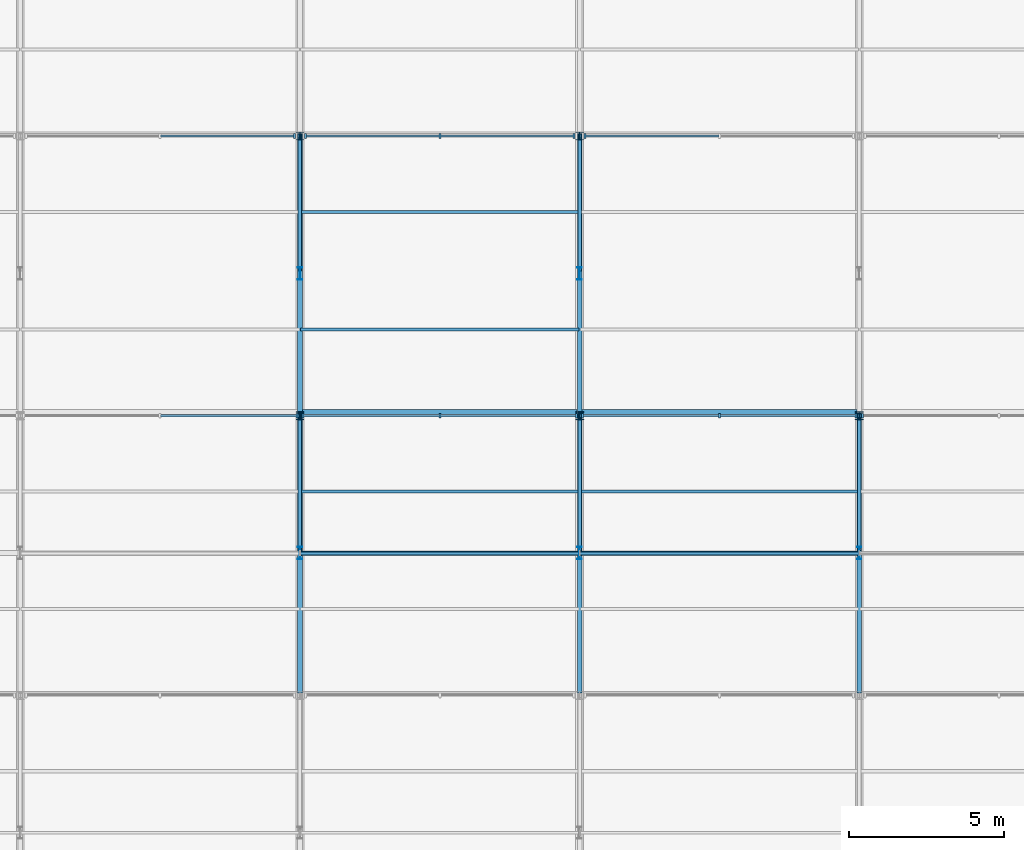
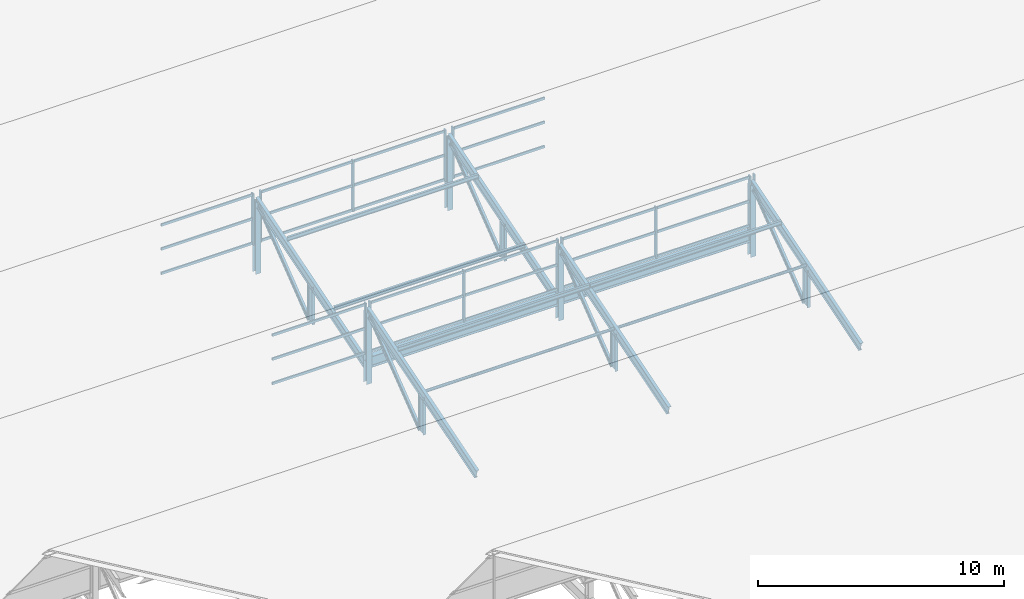
# One storey, part 69 of 163: 66 members, 2 beams, 7 elements without a shape of their own.
"""IFC4 building model written with IfcOpenShell, lengths in metres."""

import ifcopenshell
import ifcopenshell.guid

model = None  # the IFC model being written
_history = None  # IfcOwnerHistory: only IFC2X3 demands one
_inside = {}  # id of a spatial element -> (the spatial element, [elements in it])
_under = {}  # id of a project, library or spatial element -> (it, [spatial elements below it])
_declared = {}  # id of a project -> (the project, [libraries it declares])
_typed = {}  # id of a type object -> (the type object, [elements of that type])
_made_of = {}  # id of a material, layer set ... -> (it, [elements and type objects made of it])


def new_model(schema):
    """Start an empty IFC model of exactly this schema.

    Asked for "IFC4X3", IfcOpenShell would pick the latest addendum, in which some entities
    have other attributes; the version numbers below select the first issue.
    IFC2X3 requires an IfcOwnerHistory on every rooted entity: one is made here for all.
    """
    global model, _history
    if schema == "IFC4X3":
        model = ifcopenshell.file(schema_version=(4, 3, 0, 0))
    else:
        model = ifcopenshell.file(schema=schema)
    _inside.clear()
    _under.clear()
    _declared.clear()
    _typed.clear()
    _made_of.clear()
    _history = None
    if model.schema == "IFC2X3":
        org = make("IfcOrganization", Name="unknown")
        user = make(
            "IfcPersonAndOrganization",
            ThePerson=make("IfcPerson", FamilyName="unknown"),
            TheOrganization=org,
        )
        app = make(
            "IfcApplication",
            ApplicationDeveloper=org,
            Version="unknown",
            ApplicationFullName="unknown",
            ApplicationIdentifier="unknown",
        )
        _history = make(
            "IfcOwnerHistory",
            OwningUser=user,
            OwningApplication=app,
            ChangeAction="ADDED",
            CreationDate=0,
        )
    return model


def make(cls, **values):
    """One entity of the class cls with the attributes given. An attribute that is None is left unset."""
    return model.create_entity(
        cls, **{name: value for name, value in values.items() if value is not None}
    )


def rooted(cls, **values):
    """An entity with a GlobalId (a new one), such as an element, a storey or a relation."""
    return make(cls, GlobalId=ifcopenshell.guid.new(), OwnerHistory=_history, **values)


def si_unit(unit_type, name, prefix=None):
    """IfcSIUnit, for example si_unit("LENGTHUNIT", "METRE", prefix="MILLI")."""
    return make("IfcSIUnit", UnitType=unit_type, Prefix=prefix, Name=name)


def assignment(units):
    """IfcUnitAssignment: the units of a project."""
    return None if units is None else make("IfcUnitAssignment", Units=units)


def point(xyz):
    """IfcCartesianPoint."""
    return None if xyz is None else make("IfcCartesianPoint", Coordinates=xyz)


def direction(xyz):
    """IfcDirection."""
    return None if xyz is None else make("IfcDirection", DirectionRatios=xyz)


def frame(location, z_axis=None, x_axis=None):
    """IfcAxis2Placement3D, a coordinate frame: its origin and axes. An axis left out is left unset."""
    return make(
        "IfcAxis2Placement3D",
        Location=point(location),
        Axis=direction(z_axis),
        RefDirection=direction(x_axis),
    )


def frame_2d(location, x_axis=None):
    """IfcAxis2Placement2D, a coordinate frame in the plane: its origin and x axis."""
    return make(
        "IfcAxis2Placement2D", Location=point(location), RefDirection=direction(x_axis)
    )


def origin():
    """The frame at (0, 0, 0) with its axes left unset."""
    return frame((0.0, 0.0, 0.0))


def origin_2d():
    """The frame at (0, 0) in the plane with its x axis left unset."""
    return frame_2d((0.0, 0.0))


def place(relative_to, where):
    """IfcLocalPlacement: puts the frame where relative to a parent placement (None: the world)."""
    return make(
        "IfcLocalPlacement", PlacementRelTo=relative_to, RelativePlacement=where
    )


def context(
    kind, dimensions, precision=None, world=None, true_north=None, identifier=None
):
    """IfcGeometricRepresentationContext, for example the 3D "Model" context."""
    return make(
        "IfcGeometricRepresentationContext",
        ContextIdentifier=identifier,
        ContextType=kind,
        CoordinateSpaceDimension=dimensions,
        Precision=precision,
        WorldCoordinateSystem=world,
        TrueNorth=true_north,
    )


def subcontext(parent, identifier, kind, view, scale=None):
    """IfcGeometricRepresentationSubContext, for example "Body" below "Model"."""
    return make(
        "IfcGeometricRepresentationSubContext",
        ContextIdentifier=identifier,
        ContextType=kind,
        ParentContext=parent,
        TargetScale=scale,
        TargetView=view,
    )


def project(units=None, contexts=None):
    """IfcProject with its units and contexts."""
    return rooted(
        "IfcProject",
        Name="project",
        RepresentationContexts=contexts,
        UnitsInContext=assignment(units),
    )


def spatial(cls, under=None, at=None, **own):
    """A site, building, storey or space (cls), placed at a placement, below another one or the project."""
    s = rooted(cls, ObjectPlacement=at, **own)
    if under is not None:
        _under.setdefault(under.id(), (under, []))[1].append(s)
    return s


def profile(cls, at=None, kind="AREA", **sizes):
    """A parametric profile (cls). Its sizes go by their IFC names, for example OverallWidth=200.0."""
    return make(cls, ProfileType=kind, Position=at, **sizes)


def rectangle(**sizes):
    """IfcRectangleProfileDef."""
    return profile("IfcRectangleProfileDef", **sizes)


def hollow_circle(**sizes):
    """IfcCircleHollowProfileDef."""
    return profile("IfcCircleHollowProfileDef", **sizes)


def i_section(**sizes):
    """IfcIShapeProfileDef."""
    return profile("IfcIShapeProfileDef", **sizes)


def extrude(swept, where, along, depth):
    """IfcExtrudedAreaSolid: the profile swept, set in the frame where, extruded along a direction by depth."""
    return make(
        "IfcExtrudedAreaSolid",
        SweptArea=swept,
        Position=where,
        ExtrudedDirection=direction(along),
        Depth=depth,
    )


def shape(context_of_items, identifier, shape_type, items):
    """IfcShapeRepresentation: the items that make up one representation, for example the "Body"."""
    return make(
        "IfcShapeRepresentation",
        ContextOfItems=context_of_items,
        RepresentationIdentifier=identifier,
        RepresentationType=shape_type,
        Items=items,
    )


def material(Name=None, Category=None):
    """IfcMaterial."""
    return make("IfcMaterial", Name=Name, Category=Category)


def material_profile(
    of_material, cross_section, Name=None, Category=None, Priority=None
):
    """IfcMaterialProfile: a cross section and its material."""
    return make(
        "IfcMaterialProfile",
        Name=Name,
        Material=of_material,
        Profile=cross_section,
        Priority=Priority,
        Category=Category,
    )


def profile_set(profiles, Name=None, composite=None):
    """IfcMaterialProfileSet."""
    return make(
        "IfcMaterialProfileSet",
        Name=Name,
        MaterialProfiles=profiles,
        CompositeProfile=composite,
    )


def made_of(thing, what):
    """Note that an element or type object is made of a material, layer set ...; save() writes the relation."""
    if what is not None:
        _made_of.setdefault(what.id(), (what, []))[1].append(thing)
    return thing


def type_object(cls, material=None, **own):
    """A type object (cls), such as IfcWallType, which elements share."""
    return made_of(rooted(cls, **own), material)


def element(
    cls,
    number,
    at=None,
    inside=None,
    cuts=None,
    type_object=None,
    material=None,
    context=None,
    identifier="Body",
    shape_type=None,
    held_by="IfcProductDefinitionShape",
    body=None,
    shapes=None,
    **own,
):
    """One element of the class cls, such as IfcWall. Its Tag is "e" and its number.

    at: its placement. inside: the storey or other place that contains it. cuts: it is an
    opening in that element (IfcRelVoidsElement). A single representation is given by context,
    identifier, shape_type and body (its items); several are given by shapes. held_by: the class
    of the entity that holds the representations. save() writes the other relations.
    """
    e = rooted(cls, Tag="e%d" % number, ObjectPlacement=at, **own)
    if body is not None:
        shapes = [shape(context, identifier, shape_type, body)]
    if shapes is not None:
        e.Representation = make(held_by, Representations=shapes)
    if inside is not None:
        _inside.setdefault(inside.id(), (inside, []))[1].append(e)
    if cuts is not None:
        rooted(
            "IfcRelVoidsElement", RelatingBuildingElement=cuts, RelatedOpeningElement=e
        )
    if type_object is not None:
        _typed.setdefault(type_object.id(), (type_object, []))[1].append(e)
    return made_of(e, material)


def aggregate(whole, parts):
    """IfcRelAggregates: a whole, such as a stair, and the parts it consists of."""
    return rooted("IfcRelAggregates", RelatingObject=whole, RelatedObjects=parts)


def save(model, path):
    """Write the relations noted so far, then the file.

    IfcRelAggregates (storeys below a building ...), IfcRelContainedInSpatialStructure (elements
    in a storey), IfcRelDefinesByType, IfcRelAssociatesMaterial and IfcRelDeclares: one each for
    every whole, place, type object, material and project.
    """
    for whole, parts in _under.values():
        aggregate(whole, parts)
    for where, things in _inside.values():
        rooted(
            "IfcRelContainedInSpatialStructure",
            RelatedElements=things,
            RelatingStructure=where,
        )
    for kind, things in _typed.values():
        rooted("IfcRelDefinesByType", RelatedObjects=things, RelatingType=kind)
    for what, things in _made_of.values():
        rooted("IfcRelAssociatesMaterial", RelatedObjects=things, RelatingMaterial=what)
    for by, libraries in _declared.values():
        rooted("IfcRelDeclares", RelatingContext=by, RelatedDefinitions=libraries)
    model.write(path)


model = new_model("IFC4")

# Units and contexts
model_context = context("Model", 3, precision=1e-05, world=origin(), true_north=direction((0.0, 1.0)))
body_context = subcontext(model_context, "Body", "Model", "MODEL_VIEW")
ifc_project = project(units=[si_unit("LENGTHUNIT", "METRE"), si_unit("AREAUNIT", "SQUARE_METRE"), si_unit("VOLUMEUNIT", "CUBIC_METRE"), si_unit("PLANEANGLEUNIT", "RADIAN"), si_unit("MASSUNIT", "GRAM", prefix="KILO")], contexts=[model_context])

# Site, building, storey
site_placement = place(None, origin())
site = spatial("IfcSite", under=ifc_project, at=site_placement, CompositionType="ELEMENT")
building_placement = place(site_placement, origin())
building = spatial("IfcBuilding", under=site, at=building_placement, Name="Tharagai Park Tramway Depot", CompositionType="ELEMENT")
storey_placement = place(building_placement, frame((0.0, 0.0, 8.39990234375)))
storey = spatial("IfcBuildingStorey", under=building, at=storey_placement, Name="L02", CompositionType="ELEMENT", Elevation=8.39990234375)

# Beams
ifc_material_1 = material(Name="Steel E350", Category="steel")
ifc_material_profile_1 = material_profile(ifc_material_1, i_section(OverallWidth=0.25, OverallDepth=0.550048828125, WebThickness=0.010498046875, FlangeThickness=0.017578125, FilletRadius=0.01611328125, at=origin_2d()), Name="ISWB 550")
ifc_profile_set_1 = profile_set([ifc_material_profile_1], Name="Steel E350")
beam_type = type_object("IfcBeamType", Name="BM-04", PredefinedType="BEAM", material=ifc_profile_set_1)
for number, where, z_axis, x_axis, name in (
    (1, (99.080078125, 117.0, 0.72509765625), (1.0, 0.0, 0.0), (0.0, 1.0, 0.0), "Sawtooth Valley Girder BM-04"),
    (2, (108.080078125, 117.0, 0.72509765625), (1.0, 0.0, 0.0), (0.0, 1.0, 0.0), "Sawtooth Valley Girder BM-04"),
):
    element("IfcBeam", number, at=place(storey_placement, frame(where, z_axis=z_axis, x_axis=x_axis)), inside=storey, type_object=beam_type, Name=name, PredefinedType="BEAM", context=body_context, shape_type="SweptSolid", body=[
        extrude(i_section(OverallWidth=0.25, OverallDepth=0.550048828125, WebThickness=0.010498046875, FlangeThickness=0.017578125, FilletRadius=0.01611328125, at=origin_2d()), origin(), (0.0, 0.0, 1.0), 8.83984375),
    ])

# Members
ifc_material_profile_2 = material_profile(ifc_material_1, i_section(OverallWidth=0.25, OverallDepth=0.25, WebThickness=0.0087890625, FlangeThickness=0.009765625, FilletRadius=0.010009765625, at=origin_2d()), Name="ISHB 250")
ifc_profile_set_2 = profile_set([ifc_material_profile_2], Name="Steel E350")
member_type_1 = type_object("IfcMemberType", Name="BR-01", PredefinedType="BRACE", material=ifc_profile_set_2)
for number, where, z_axis, x_axis, name in (
    (3, (99.0, 116.919921875, -0.25), (0.0, 0.0, 1.0), (1.0, 0.0, 0.0), "Sawtooth North Vertical Post BR-01"),
    (4, (99.0, 125.919921875, -0.25), (0.0, 0.0, 1.0), (1.0, 0.0, 0.0), "Sawtooth North Vertical Post BR-01"),
    (5, (108.0, 116.919921875, -0.25), (0.0, 0.0, 1.0), (1.0, 0.0, 0.0), "Sawtooth North Vertical Post BR-01"),
    (6, (108.0, 125.919921875, -0.25), (0.0, 0.0, 1.0), (1.0, 0.0, 0.0), "Sawtooth North Vertical Post BR-01"),
    (7, (117.0, 116.919921875, -0.25), (0.0, 0.0, 1.0), (1.0, 0.0, 0.0), "Sawtooth North Vertical Post BR-01"),
):
    element("IfcMember", number, at=place(storey_placement, frame(where, z_axis=z_axis, x_axis=x_axis)), inside=storey, type_object=member_type_1, Name=name, PredefinedType="BRACE", context=body_context, shape_type="SweptSolid", body=[
        extrude(i_section(OverallWidth=0.25, OverallDepth=0.25, WebThickness=0.0087890625, FlangeThickness=0.009765625, FilletRadius=0.010009765625, at=origin_2d()), origin(), (0.0, 0.0, 1.0), 3.55517578125),
    ])
ifc_material_profile_3 = material_profile(ifc_material_1, i_section(OverallWidth=0.110107421875, OverallDepth=0.22509765625, WebThickness=0.006591796875, FlangeThickness=0.01171875, FilletRadius=0.011962890625, at=origin_2d()), Name="ISMB 225")
ifc_profile_set_3 = profile_set([ifc_material_profile_3], Name="Steel E350")
member_type_2 = type_object("IfcMemberType", Name="BR-04", PredefinedType="BRACE", material=ifc_profile_set_3)
for number, where, z_axis, x_axis, name in (
    (8, (99.0, 112.64990234375, 0.0), (0.0, 0.790781596, 0.612098413188), (-1.0, 0.0, 0.0), "Sawtooth Truss Web Diagonal BR-04"),
    (9, (99.0, 121.64990234375, 0.0), (0.0, 0.790781596, 0.612098413188), (-1.0, 0.0, 0.0), "Sawtooth Truss Web Diagonal BR-04"),
    (10, (108.0, 112.64990234375, 0.0), (0.0, 0.790781596, 0.612098413188), (-1.0, 0.0, 0.0), "Sawtooth Truss Web Diagonal BR-04"),
    (11, (108.0, 121.64990234375, 0.0), (0.0, 0.790781596, 0.612098413188), (-1.0, 0.0, 0.0), "Sawtooth Truss Web Diagonal BR-04"),
    (12, (117.0, 112.64990234375, 0.0), (0.0, 0.790781596, 0.612098413188), (-1.0, 0.0, 0.0), "Sawtooth Truss Web Diagonal BR-04"),
):
    element("IfcMember", number, at=place(storey_placement, frame(where, z_axis=z_axis, x_axis=x_axis)), inside=storey, type_object=member_type_2, Name=name, PredefinedType="BRACE", context=body_context, shape_type="SweptSolid", body=[
        extrude(i_section(OverallWidth=0.110107421875, OverallDepth=0.22509765625, WebThickness=0.006591796875, FlangeThickness=0.01171875, FilletRadius=0.011962890625, at=origin_2d()), origin(), (0.0, 0.0, 1.0), 5.399658203125),
    ])
ifc_material_2 = material(Name="Steel E250", Category="steel")
ifc_material_profile_4 = material_profile(ifc_material_2, hollow_circle(Radius=0.06982421875, WallThickness=0.0048828125, at=origin_2d()), Name="CHS 139.7x5")
ifc_profile_set_4 = profile_set([ifc_material_profile_4], Name="Steel E250")
member_type_3 = type_object("IfcMemberType", Name="BR-09", PredefinedType="BRACE", material=ifc_profile_set_4)
for number, where, z_axis, x_axis, name in (
    (13, (99.02001953125, 112.5, 1.946533203125), (1.0, 0.0, 0.0), (0.0, 1.0, 0.0), "Sawtooth Tubular Tie Strut BR-09"),
    (14, (108.02001953125, 112.5, 1.946533203125), (1.0, 0.0, 0.0), (0.0, 1.0, 0.0), "Sawtooth Tubular Tie Strut BR-09"),
):
    element("IfcMember", number, at=place(storey_placement, frame(where, z_axis=z_axis, x_axis=x_axis)), inside=storey, type_object=member_type_3, Name=name, PredefinedType="BRACE", context=body_context, shape_type="SweptSolid", body=[
        extrude(hollow_circle(Radius=0.06982421875, WallThickness=0.0048828125, at=origin_2d()), origin(), (0.0, 0.0, 1.0), 8.9599609375),
    ])

# Curtain wall, members
ifc_material_3 = material(Name="Anodised aluminium", Category="aluminium")
curtain_wall_type_1 = type_object("IfcCurtainWallType", Name="CW-04", PredefinedType="NOTDEFINED", material=ifc_material_3)
curtain_wall_1_placement = place(storey_placement, origin())
curtain_wall_1 = element("IfcCurtainWall", 15, at=curtain_wall_1_placement, inside=storey, type_object=curtain_wall_type_1, Name="Sawtooth North-Light Clerestory CW-04", PredefinedType="NOTDEFINED")
ifc_material_profile_5 = material_profile(ifc_material_3, rectangle(XDim=0.06494140625, YDim=0.1201171875, at=origin_2d()), Name="ALU 65x120")
ifc_profile_set_5 = profile_set([ifc_material_profile_5], Name="Anodised aluminium")
member_type_4 = type_object("IfcMemberType", Name="CM-01", PredefinedType="USERDEFINED", material=ifc_profile_set_5)
member_1_placement = place(storey_placement, frame((94.514892578125, 116.919921875, 1.26513671875), z_axis=(1.0, 0.0, 0.0), x_axis=(0.0, 1.0, 0.0)))
member_1 = element("IfcMember", 16, at=member_1_placement, type_object=member_type_4, Name="Sawtooth North-Light Clerestory Transom 2.1", ObjectType="TRANSOM", PredefinedType="USERDEFINED", context=body_context, shape_type="SweptSolid", body=[
    extrude(rectangle(XDim=0.06494140625, YDim=0.1201171875, at=origin_2d()), origin(), (0.0, 0.0, 1.0), 4.3701171875),
])
member_2_placement = place(storey_placement, frame((94.514892578125, 116.919921875, 2.4736328125), z_axis=(1.0, 0.0, 0.0), x_axis=(0.0, 1.0, 0.0)))
member_2 = element("IfcMember", 17, at=member_2_placement, type_object=member_type_4, Name="Sawtooth North-Light Clerestory Transom 2.2", ObjectType="TRANSOM", PredefinedType="USERDEFINED", context=body_context, shape_type="SweptSolid", body=[
    extrude(rectangle(XDim=0.06494140625, YDim=0.1201171875, at=origin_2d()), origin(), (0.0, 0.0, 1.0), 4.3701171875),
])
member_3_placement = place(storey_placement, frame((94.514892578125, 116.919921875, 3.662353515625), z_axis=(1.0, 0.0, 0.0), x_axis=(0.0, 1.0, 0.0)))
member_3 = element("IfcMember", 18, at=member_3_placement, type_object=member_type_4, Name="Sawtooth North-Light Clerestory Transom 2.3", ObjectType="TRANSOM", PredefinedType="USERDEFINED", context=body_context, shape_type="SweptSolid", body=[
    extrude(rectangle(XDim=0.06494140625, YDim=0.1201171875, at=origin_2d()), origin(), (0.0, 0.0, 1.0), 4.3701171875),
])

curtain_wall_2_placement = place(storey_placement, origin())
curtain_wall_2 = element("IfcCurtainWall", 19, at=curtain_wall_2_placement, inside=storey, type_object=curtain_wall_type_1, Name="Sawtooth North-Light Clerestory CW-04", PredefinedType="NOTDEFINED")
member_4_placement = place(storey_placement, frame((99.114990234375, 116.919921875, 1.26513671875), z_axis=(1.0, 0.0, 0.0), x_axis=(0.0, 1.0, 0.0)))
member_4 = element("IfcMember", 20, at=member_4_placement, type_object=member_type_4, Name="Sawtooth North-Light Clerestory Transom 1.1", ObjectType="TRANSOM", PredefinedType="USERDEFINED", context=body_context, shape_type="SweptSolid", body=[
    extrude(rectangle(XDim=0.06494140625, YDim=0.1201171875, at=origin_2d()), origin(), (0.0, 0.0, 1.0), 4.3701171875),
])
member_5_placement = place(storey_placement, frame((99.114990234375, 116.919921875, 2.4736328125), z_axis=(1.0, 0.0, 0.0), x_axis=(0.0, 1.0, 0.0)))
member_5 = element("IfcMember", 21, at=member_5_placement, type_object=member_type_4, Name="Sawtooth North-Light Clerestory Transom 1.2", ObjectType="TRANSOM", PredefinedType="USERDEFINED", context=body_context, shape_type="SweptSolid", body=[
    extrude(rectangle(XDim=0.06494140625, YDim=0.1201171875, at=origin_2d()), origin(), (0.0, 0.0, 1.0), 4.3701171875),
])
member_6_placement = place(storey_placement, frame((99.114990234375, 116.919921875, 3.662353515625), z_axis=(1.0, 0.0, 0.0), x_axis=(0.0, 1.0, 0.0)))
member_6 = element("IfcMember", 22, at=member_6_placement, type_object=member_type_4, Name="Sawtooth North-Light Clerestory Transom 1.3", ObjectType="TRANSOM", PredefinedType="USERDEFINED", context=body_context, shape_type="SweptSolid", body=[
    extrude(rectangle(XDim=0.06494140625, YDim=0.1201171875, at=origin_2d()), origin(), (0.0, 0.0, 1.0), 4.3701171875),
])
member_7_placement = place(storey_placement, frame((103.514892578125, 116.919921875, 1.26513671875), z_axis=(1.0, 0.0, 0.0), x_axis=(0.0, 1.0, 0.0)))
member_7 = element("IfcMember", 23, at=member_7_placement, type_object=member_type_4, Name="Sawtooth North-Light Clerestory Transom 2.1", ObjectType="TRANSOM", PredefinedType="USERDEFINED", context=body_context, shape_type="SweptSolid", body=[
    extrude(rectangle(XDim=0.06494140625, YDim=0.1201171875, at=origin_2d()), origin(), (0.0, 0.0, 1.0), 4.3701171875),
])
member_8_placement = place(storey_placement, frame((103.514892578125, 116.919921875, 2.4736328125), z_axis=(1.0, 0.0, 0.0), x_axis=(0.0, 1.0, 0.0)))
member_8 = element("IfcMember", 24, at=member_8_placement, type_object=member_type_4, Name="Sawtooth North-Light Clerestory Transom 2.2", ObjectType="TRANSOM", PredefinedType="USERDEFINED", context=body_context, shape_type="SweptSolid", body=[
    extrude(rectangle(XDim=0.06494140625, YDim=0.1201171875, at=origin_2d()), origin(), (0.0, 0.0, 1.0), 4.3701171875),
])
member_9_placement = place(storey_placement, frame((103.514892578125, 116.919921875, 3.662353515625), z_axis=(1.0, 0.0, 0.0), x_axis=(0.0, 1.0, 0.0)))
member_9 = element("IfcMember", 25, at=member_9_placement, type_object=member_type_4, Name="Sawtooth North-Light Clerestory Transom 2.3", ObjectType="TRANSOM", PredefinedType="USERDEFINED", context=body_context, shape_type="SweptSolid", body=[
    extrude(rectangle(XDim=0.06494140625, YDim=0.1201171875, at=origin_2d()), origin(), (0.0, 0.0, 1.0), 4.3701171875),
])

curtain_wall_3_placement = place(storey_placement, origin())
curtain_wall_3 = element("IfcCurtainWall", 26, at=curtain_wall_3_placement, inside=storey, type_object=curtain_wall_type_1, Name="Sawtooth North-Light Clerestory CW-04", PredefinedType="NOTDEFINED")
member_10_placement = place(storey_placement, frame((108.114990234375, 116.919921875, 1.26513671875), z_axis=(1.0, 0.0, 0.0), x_axis=(0.0, 1.0, 0.0)))
member_10 = element("IfcMember", 27, at=member_10_placement, type_object=member_type_4, Name="Sawtooth North-Light Clerestory Transom 1.1", ObjectType="TRANSOM", PredefinedType="USERDEFINED", context=body_context, shape_type="SweptSolid", body=[
    extrude(rectangle(XDim=0.06494140625, YDim=0.1201171875, at=origin_2d()), origin(), (0.0, 0.0, 1.0), 4.3701171875),
])
member_11_placement = place(storey_placement, frame((108.114990234375, 116.919921875, 2.4736328125), z_axis=(1.0, 0.0, 0.0), x_axis=(0.0, 1.0, 0.0)))
member_11 = element("IfcMember", 28, at=member_11_placement, type_object=member_type_4, Name="Sawtooth North-Light Clerestory Transom 1.2", ObjectType="TRANSOM", PredefinedType="USERDEFINED", context=body_context, shape_type="SweptSolid", body=[
    extrude(rectangle(XDim=0.06494140625, YDim=0.1201171875, at=origin_2d()), origin(), (0.0, 0.0, 1.0), 4.3701171875),
])
member_12_placement = place(storey_placement, frame((108.114990234375, 116.919921875, 3.662353515625), z_axis=(1.0, 0.0, 0.0), x_axis=(0.0, 1.0, 0.0)))
member_12 = element("IfcMember", 29, at=member_12_placement, type_object=member_type_4, Name="Sawtooth North-Light Clerestory Transom 1.3", ObjectType="TRANSOM", PredefinedType="USERDEFINED", context=body_context, shape_type="SweptSolid", body=[
    extrude(rectangle(XDim=0.06494140625, YDim=0.1201171875, at=origin_2d()), origin(), (0.0, 0.0, 1.0), 4.3701171875),
])
member_13_placement = place(storey_placement, frame((112.514892578125, 116.919921875, 1.26513671875), z_axis=(1.0, 0.0, 0.0), x_axis=(0.0, 1.0, 0.0)))
member_13 = element("IfcMember", 30, at=member_13_placement, type_object=member_type_4, Name="Sawtooth North-Light Clerestory Transom 2.1", ObjectType="TRANSOM", PredefinedType="USERDEFINED", context=body_context, shape_type="SweptSolid", body=[
    extrude(rectangle(XDim=0.06494140625, YDim=0.1201171875, at=origin_2d()), origin(), (0.0, 0.0, 1.0), 4.3701171875),
])
member_14_placement = place(storey_placement, frame((112.514892578125, 116.919921875, 2.4736328125), z_axis=(1.0, 0.0, 0.0), x_axis=(0.0, 1.0, 0.0)))
member_14 = element("IfcMember", 31, at=member_14_placement, type_object=member_type_4, Name="Sawtooth North-Light Clerestory Transom 2.2", ObjectType="TRANSOM", PredefinedType="USERDEFINED", context=body_context, shape_type="SweptSolid", body=[
    extrude(rectangle(XDim=0.06494140625, YDim=0.1201171875, at=origin_2d()), origin(), (0.0, 0.0, 1.0), 4.3701171875),
])
member_15_placement = place(storey_placement, frame((112.514892578125, 116.919921875, 3.662353515625), z_axis=(1.0, 0.0, 0.0), x_axis=(0.0, 1.0, 0.0)))
member_15 = element("IfcMember", 32, at=member_15_placement, type_object=member_type_4, Name="Sawtooth North-Light Clerestory Transom 2.3", ObjectType="TRANSOM", PredefinedType="USERDEFINED", context=body_context, shape_type="SweptSolid", body=[
    extrude(rectangle(XDim=0.06494140625, YDim=0.1201171875, at=origin_2d()), origin(), (0.0, 0.0, 1.0), 4.3701171875),
])

curtain_wall_type_2 = type_object("IfcCurtainWallType", Name="CW-03", PredefinedType="NOTDEFINED", material=ifc_material_3)
curtain_wall_4_placement = place(storey_placement, origin())
curtain_wall_4 = element("IfcCurtainWall", 33, at=curtain_wall_4_placement, inside=storey, type_object=curtain_wall_type_2, Name="Sawtooth North-Light Clerestory CW-03", PredefinedType="NOTDEFINED")
member_16_placement = place(storey_placement, frame((94.514892578125, 125.919921875, 1.26513671875), z_axis=(1.0, 0.0, 0.0), x_axis=(0.0, 1.0, 0.0)))
member_16 = element("IfcMember", 34, at=member_16_placement, type_object=member_type_4, Name="Sawtooth North-Light Clerestory Transom 2.1", ObjectType="TRANSOM", PredefinedType="USERDEFINED", context=body_context, shape_type="SweptSolid", body=[
    extrude(rectangle(XDim=0.06494140625, YDim=0.1201171875, at=origin_2d()), origin(), (0.0, 0.0, 1.0), 4.2900390625),
])
member_17_placement = place(storey_placement, frame((94.514892578125, 125.919921875, 2.4736328125), z_axis=(1.0, 0.0, 0.0), x_axis=(0.0, 1.0, 0.0)))
member_17 = element("IfcMember", 35, at=member_17_placement, type_object=member_type_4, Name="Sawtooth North-Light Clerestory Transom 2.2", ObjectType="TRANSOM", PredefinedType="USERDEFINED", context=body_context, shape_type="SweptSolid", body=[
    extrude(rectangle(XDim=0.06494140625, YDim=0.1201171875, at=origin_2d()), origin(), (0.0, 0.0, 1.0), 4.2900390625),
])
member_18_placement = place(storey_placement, frame((94.514892578125, 125.919921875, 3.662353515625), z_axis=(1.0, 0.0, 0.0), x_axis=(0.0, 1.0, 0.0)))
member_18 = element("IfcMember", 36, at=member_18_placement, type_object=member_type_4, Name="Sawtooth North-Light Clerestory Transom 2.3", ObjectType="TRANSOM", PredefinedType="USERDEFINED", context=body_context, shape_type="SweptSolid", body=[
    extrude(rectangle(XDim=0.06494140625, YDim=0.1201171875, at=origin_2d()), origin(), (0.0, 0.0, 1.0), 4.2900390625),
])

curtain_wall_5_placement = place(storey_placement, origin())
curtain_wall_5 = element("IfcCurtainWall", 37, at=curtain_wall_5_placement, inside=storey, type_object=curtain_wall_type_2, Name="Sawtooth North-Light Clerestory CW-03", PredefinedType="NOTDEFINED")
member_19_placement = place(storey_placement, frame((99.195068359375, 125.919921875, 1.26513671875), z_axis=(1.0, 0.0, 0.0), x_axis=(0.0, 1.0, 0.0)))
member_19 = element("IfcMember", 38, at=member_19_placement, type_object=member_type_4, Name="Sawtooth North-Light Clerestory Transom 1.1", ObjectType="TRANSOM", PredefinedType="USERDEFINED", context=body_context, shape_type="SweptSolid", body=[
    extrude(rectangle(XDim=0.06494140625, YDim=0.1201171875, at=origin_2d()), origin(), (0.0, 0.0, 1.0), 4.2900390625),
])
member_20_placement = place(storey_placement, frame((99.195068359375, 125.919921875, 2.4736328125), z_axis=(1.0, 0.0, 0.0), x_axis=(0.0, 1.0, 0.0)))
member_20 = element("IfcMember", 39, at=member_20_placement, type_object=member_type_4, Name="Sawtooth North-Light Clerestory Transom 1.2", ObjectType="TRANSOM", PredefinedType="USERDEFINED", context=body_context, shape_type="SweptSolid", body=[
    extrude(rectangle(XDim=0.06494140625, YDim=0.1201171875, at=origin_2d()), origin(), (0.0, 0.0, 1.0), 4.2900390625),
])
member_21_placement = place(storey_placement, frame((99.195068359375, 125.919921875, 3.662353515625), z_axis=(1.0, 0.0, 0.0), x_axis=(0.0, 1.0, 0.0)))
member_21 = element("IfcMember", 40, at=member_21_placement, type_object=member_type_4, Name="Sawtooth North-Light Clerestory Transom 1.3", ObjectType="TRANSOM", PredefinedType="USERDEFINED", context=body_context, shape_type="SweptSolid", body=[
    extrude(rectangle(XDim=0.06494140625, YDim=0.1201171875, at=origin_2d()), origin(), (0.0, 0.0, 1.0), 4.2900390625),
])
member_22_placement = place(storey_placement, frame((103.514892578125, 125.919921875, 1.26513671875), z_axis=(1.0, 0.0, 0.0), x_axis=(0.0, 1.0, 0.0)))
member_22 = element("IfcMember", 41, at=member_22_placement, type_object=member_type_4, Name="Sawtooth North-Light Clerestory Transom 2.1", ObjectType="TRANSOM", PredefinedType="USERDEFINED", context=body_context, shape_type="SweptSolid", body=[
    extrude(rectangle(XDim=0.06494140625, YDim=0.1201171875, at=origin_2d()), origin(), (0.0, 0.0, 1.0), 4.2900390625),
])
member_23_placement = place(storey_placement, frame((103.514892578125, 125.919921875, 2.4736328125), z_axis=(1.0, 0.0, 0.0), x_axis=(0.0, 1.0, 0.0)))
member_23 = element("IfcMember", 42, at=member_23_placement, type_object=member_type_4, Name="Sawtooth North-Light Clerestory Transom 2.2", ObjectType="TRANSOM", PredefinedType="USERDEFINED", context=body_context, shape_type="SweptSolid", body=[
    extrude(rectangle(XDim=0.06494140625, YDim=0.1201171875, at=origin_2d()), origin(), (0.0, 0.0, 1.0), 4.2900390625),
])
member_24_placement = place(storey_placement, frame((103.514892578125, 125.919921875, 3.662353515625), z_axis=(1.0, 0.0, 0.0), x_axis=(0.0, 1.0, 0.0)))
member_24 = element("IfcMember", 43, at=member_24_placement, type_object=member_type_4, Name="Sawtooth North-Light Clerestory Transom 2.3", ObjectType="TRANSOM", PredefinedType="USERDEFINED", context=body_context, shape_type="SweptSolid", body=[
    extrude(rectangle(XDim=0.06494140625, YDim=0.1201171875, at=origin_2d()), origin(), (0.0, 0.0, 1.0), 4.2900390625),
])

curtain_wall_6_placement = place(storey_placement, origin())
curtain_wall_6 = element("IfcCurtainWall", 44, at=curtain_wall_6_placement, inside=storey, type_object=curtain_wall_type_2, Name="Sawtooth North-Light Clerestory CW-03", PredefinedType="NOTDEFINED")
member_25_placement = place(storey_placement, frame((108.195068359375, 125.919921875, 1.26513671875), z_axis=(1.0, 0.0, 0.0), x_axis=(0.0, 1.0, 0.0)))
member_25 = element("IfcMember", 45, at=member_25_placement, type_object=member_type_4, Name="Sawtooth North-Light Clerestory Transom 1.1", ObjectType="TRANSOM", PredefinedType="USERDEFINED", context=body_context, shape_type="SweptSolid", body=[
    extrude(rectangle(XDim=0.06494140625, YDim=0.1201171875, at=origin_2d()), origin(), (0.0, 0.0, 1.0), 4.2900390625),
])
member_26_placement = place(storey_placement, frame((108.195068359375, 125.919921875, 2.4736328125), z_axis=(1.0, 0.0, 0.0), x_axis=(0.0, 1.0, 0.0)))
member_26 = element("IfcMember", 46, at=member_26_placement, type_object=member_type_4, Name="Sawtooth North-Light Clerestory Transom 1.2", ObjectType="TRANSOM", PredefinedType="USERDEFINED", context=body_context, shape_type="SweptSolid", body=[
    extrude(rectangle(XDim=0.06494140625, YDim=0.1201171875, at=origin_2d()), origin(), (0.0, 0.0, 1.0), 4.2900390625),
])
member_27_placement = place(storey_placement, frame((108.195068359375, 125.919921875, 3.662353515625), z_axis=(1.0, 0.0, 0.0), x_axis=(0.0, 1.0, 0.0)))
member_27 = element("IfcMember", 47, at=member_27_placement, type_object=member_type_4, Name="Sawtooth North-Light Clerestory Transom 1.3", ObjectType="TRANSOM", PredefinedType="USERDEFINED", context=body_context, shape_type="SweptSolid", body=[
    extrude(rectangle(XDim=0.06494140625, YDim=0.1201171875, at=origin_2d()), origin(), (0.0, 0.0, 1.0), 4.2900390625),
])

# Member
ifc_material_profile_6 = material_profile(ifc_material_3, rectangle(XDim=0.06494140625, YDim=0.14990234375, at=origin_2d()), Name="ALU 65x150")
ifc_profile_set_6 = profile_set([ifc_material_profile_6], Name="Anodised aluminium")
member_type_5 = type_object("IfcMemberType", Name="CM-03", PredefinedType="MULLION", material=ifc_profile_set_6)
member_28_placement = place(storey_placement, frame((98.89990234375, 116.919921875, 1.2001953125), z_axis=(0.0, 0.0, 1.0), x_axis=(1.0, 0.0, 0.0)))
member_28 = element("IfcMember", 48, at=member_28_placement, type_object=member_type_5, Name="Sawtooth North-Light Clerestory Mullion 3", PredefinedType="MULLION", context=body_context, shape_type="SweptSolid", body=[
    extrude(rectangle(XDim=0.06494140625, YDim=0.14990234375, at=origin_2d()), origin(), (0.0, 0.0, 1.0), 2.547119140625),
])

aggregate(curtain_wall_1, [member_28, member_1, member_2, member_3])

member_29_placement = place(storey_placement, frame((99.10009765625, 116.919921875, 1.2001953125), z_axis=(0.0, 0.0, 1.0), x_axis=(1.0, 0.0, 0.0)))
member_29 = element("IfcMember", 49, at=member_29_placement, type_object=member_type_5, Name="Sawtooth North-Light Clerestory Mullion 1", PredefinedType="MULLION", context=body_context, shape_type="SweptSolid", body=[
    extrude(rectangle(XDim=0.06494140625, YDim=0.14990234375, at=origin_2d()), origin(), (0.0, 0.0, 1.0), 2.547119140625),
])

member_30_placement = place(storey_placement, frame((103.5, 116.919921875, 1.2001953125), z_axis=(0.0, 0.0, 1.0), x_axis=(1.0, 0.0, 0.0)))
member_30 = element("IfcMember", 50, at=member_30_placement, type_object=member_type_5, Name="Sawtooth North-Light Clerestory Mullion 2", PredefinedType="MULLION", context=body_context, shape_type="SweptSolid", body=[
    extrude(rectangle(XDim=0.06494140625, YDim=0.14990234375, at=origin_2d()), origin(), (0.0, 0.0, 1.0), 2.547119140625),
])

member_31_placement = place(storey_placement, frame((107.89990234375, 116.919921875, 1.2001953125), z_axis=(0.0, 0.0, 1.0), x_axis=(1.0, 0.0, 0.0)))
member_31 = element("IfcMember", 51, at=member_31_placement, type_object=member_type_5, Name="Sawtooth North-Light Clerestory Mullion 3", PredefinedType="MULLION", context=body_context, shape_type="SweptSolid", body=[
    extrude(rectangle(XDim=0.06494140625, YDim=0.14990234375, at=origin_2d()), origin(), (0.0, 0.0, 1.0), 2.547119140625),
])

aggregate(curtain_wall_2, [member_29, member_30, member_31, member_4, member_5, member_6, member_7, member_8, member_9])

member_32_placement = place(storey_placement, frame((108.10009765625, 116.919921875, 1.2001953125), z_axis=(0.0, 0.0, 1.0), x_axis=(1.0, 0.0, 0.0)))
member_32 = element("IfcMember", 52, at=member_32_placement, type_object=member_type_5, Name="Sawtooth North-Light Clerestory Mullion 1", PredefinedType="MULLION", context=body_context, shape_type="SweptSolid", body=[
    extrude(rectangle(XDim=0.06494140625, YDim=0.14990234375, at=origin_2d()), origin(), (0.0, 0.0, 1.0), 2.547119140625),
])

member_33_placement = place(storey_placement, frame((112.5, 116.919921875, 1.2001953125), z_axis=(0.0, 0.0, 1.0), x_axis=(1.0, 0.0, 0.0)))
member_33 = element("IfcMember", 53, at=member_33_placement, type_object=member_type_5, Name="Sawtooth North-Light Clerestory Mullion 2", PredefinedType="MULLION", context=body_context, shape_type="SweptSolid", body=[
    extrude(rectangle(XDim=0.06494140625, YDim=0.14990234375, at=origin_2d()), origin(), (0.0, 0.0, 1.0), 2.547119140625),
])

member_34_placement = place(storey_placement, frame((116.89990234375, 116.919921875, 1.2001953125), z_axis=(0.0, 0.0, 1.0), x_axis=(1.0, 0.0, 0.0)))
member_34 = element("IfcMember", 54, at=member_34_placement, type_object=member_type_5, Name="Sawtooth North-Light Clerestory Mullion 3", PredefinedType="MULLION", context=body_context, shape_type="SweptSolid", body=[
    extrude(rectangle(XDim=0.06494140625, YDim=0.14990234375, at=origin_2d()), origin(), (0.0, 0.0, 1.0), 2.547119140625),
])

aggregate(curtain_wall_3, [member_32, member_33, member_34, member_10, member_11, member_12, member_13, member_14, member_15])

# Curtain wall, member
curtain_wall_7_placement = place(storey_placement, origin())
curtain_wall_7 = element("IfcCurtainWall", 55, at=curtain_wall_7_placement, inside=storey, type_object=curtain_wall_type_1, Name="Sawtooth North-Light Clerestory CW-04", PredefinedType="NOTDEFINED")
member_35_placement = place(storey_placement, frame((117.10009765625, 116.919921875, 1.2001953125), z_axis=(0.0, 0.0, 1.0), x_axis=(1.0, 0.0, 0.0)))
member_35 = element("IfcMember", 56, at=member_35_placement, type_object=member_type_5, Name="Sawtooth North-Light Clerestory Mullion 1", PredefinedType="MULLION", context=body_context, shape_type="SweptSolid", body=[
    extrude(rectangle(XDim=0.06494140625, YDim=0.14990234375, at=origin_2d()), origin(), (0.0, 0.0, 1.0), 2.547119140625),
])
aggregate(curtain_wall_7, [member_35])

# Member
member_36_placement = place(storey_placement, frame((98.820068359375, 125.919921875, 1.2001953125), z_axis=(0.0, 0.0, 1.0), x_axis=(1.0, 0.0, 0.0)))
member_36 = element("IfcMember", 57, at=member_36_placement, type_object=member_type_5, Name="Sawtooth North-Light Clerestory Mullion 3", PredefinedType="MULLION", context=body_context, shape_type="SweptSolid", body=[
    extrude(rectangle(XDim=0.06494140625, YDim=0.14990234375, at=origin_2d()), origin(), (0.0, 0.0, 1.0), 2.547119140625),
])

aggregate(curtain_wall_4, [member_36, member_16, member_17, member_18])

member_37_placement = place(storey_placement, frame((99.179931640625, 125.919921875, 1.2001953125), z_axis=(0.0, 0.0, 1.0), x_axis=(1.0, 0.0, 0.0)))
member_37 = element("IfcMember", 58, at=member_37_placement, type_object=member_type_5, Name="Sawtooth North-Light Clerestory Mullion 1", PredefinedType="MULLION", context=body_context, shape_type="SweptSolid", body=[
    extrude(rectangle(XDim=0.06494140625, YDim=0.14990234375, at=origin_2d()), origin(), (0.0, 0.0, 1.0), 2.547119140625),
])

member_38_placement = place(storey_placement, frame((103.5, 125.919921875, 1.2001953125), z_axis=(0.0, 0.0, 1.0), x_axis=(1.0, 0.0, 0.0)))
member_38 = element("IfcMember", 59, at=member_38_placement, type_object=member_type_5, Name="Sawtooth North-Light Clerestory Mullion 2", PredefinedType="MULLION", context=body_context, shape_type="SweptSolid", body=[
    extrude(rectangle(XDim=0.06494140625, YDim=0.14990234375, at=origin_2d()), origin(), (0.0, 0.0, 1.0), 2.547119140625),
])

member_39_placement = place(storey_placement, frame((107.820068359375, 125.919921875, 1.2001953125), z_axis=(0.0, 0.0, 1.0), x_axis=(1.0, 0.0, 0.0)))
member_39 = element("IfcMember", 60, at=member_39_placement, type_object=member_type_5, Name="Sawtooth North-Light Clerestory Mullion 3", PredefinedType="MULLION", context=body_context, shape_type="SweptSolid", body=[
    extrude(rectangle(XDim=0.06494140625, YDim=0.14990234375, at=origin_2d()), origin(), (0.0, 0.0, 1.0), 2.547119140625),
])

aggregate(curtain_wall_5, [member_37, member_38, member_39, member_19, member_20, member_21, member_22, member_23, member_24])

member_40_placement = place(storey_placement, frame((108.179931640625, 125.919921875, 1.2001953125), z_axis=(0.0, 0.0, 1.0), x_axis=(1.0, 0.0, 0.0)))
member_40 = element("IfcMember", 61, at=member_40_placement, type_object=member_type_5, Name="Sawtooth North-Light Clerestory Mullion 1", PredefinedType="MULLION", context=body_context, shape_type="SweptSolid", body=[
    extrude(rectangle(XDim=0.06494140625, YDim=0.14990234375, at=origin_2d()), origin(), (0.0, 0.0, 1.0), 2.547119140625),
])

aggregate(curtain_wall_6, [member_40, member_25, member_26, member_27])

# Members
ifc_material_profile_7 = material_profile(ifc_material_2, i_section(OverallWidth=0.10009765625, OverallDepth=0.199951171875, WebThickness=0.00537109375, FlangeThickness=0.00732421875, FilletRadius=0.009033203125, at=origin_2d()), Name="ISLB 200")
ifc_profile_set_7 = profile_set([ifc_material_profile_7], Name="Steel E250")
member_type_6 = type_object("IfcMemberType", Name="PR-03", PredefinedType="PURLIN", material=ifc_profile_set_7)
for number, where, z_axis, x_axis, name in (
    (62, (99.02001953125, 119.699951171875, 1.733154296875), (1.0, 0.0, 0.0), (0.0, 1.0, 0.0), "Sawtooth Roof Purlin PR-03"),
    (63, (99.02001953125, 123.47998046875, 2.87451171875), (1.0, 0.0, 0.0), (0.0, 1.0, 0.0), "Sawtooth Roof Purlin PR-03"),
):
    element("IfcMember", number, at=place(storey_placement, frame(where, z_axis=z_axis, x_axis=x_axis)), inside=storey, type_object=member_type_6, Name=name, PredefinedType="PURLIN", context=body_context, shape_type="SweptSolid", body=[
        extrude(i_section(OverallWidth=0.10009765625, OverallDepth=0.199951171875, WebThickness=0.00537109375, FlangeThickness=0.00732421875, FilletRadius=0.009033203125, at=origin_2d()), origin(), (0.0, 0.0, 1.0), 8.9599609375),
    ])
ifc_material_profile_8 = material_profile(ifc_material_2, i_section(OverallWidth=0.10009765625, OverallDepth=0.199951171875, WebThickness=0.005615234375, FlangeThickness=0.0107421875, FilletRadius=0.010986328125, at=origin_2d()), Name="ISMB 200")
ifc_profile_set_8 = profile_set([ifc_material_profile_8], Name="Steel E250")
member_type_7 = type_object("IfcMemberType", Name="PR-04", PredefinedType="PURLIN", material=ifc_profile_set_8)
for number, where, z_axis, x_axis, name in (
    (64, (99.02001953125, 114.47998046875, 2.87451171875), (1.0, 0.0, 0.0), (0.0, 1.0, 0.0), "Sawtooth Roof Purlin PR-04"),
    (65, (108.02001953125, 114.47998046875, 2.87451171875), (1.0, 0.0, 0.0), (0.0, 1.0, 0.0), "Sawtooth Roof Purlin PR-04"),
):
    element("IfcMember", number, at=place(storey_placement, frame(where, z_axis=z_axis, x_axis=x_axis)), inside=storey, type_object=member_type_7, Name=name, PredefinedType="PURLIN", context=body_context, shape_type="SweptSolid", body=[
        extrude(i_section(OverallWidth=0.10009765625, OverallDepth=0.199951171875, WebThickness=0.005615234375, FlangeThickness=0.0107421875, FilletRadius=0.010986328125, at=origin_2d()), origin(), (0.0, 0.0, 1.0), 8.9599609375),
    ])
ifc_material_profile_9 = material_profile(ifc_material_1, i_section(OverallWidth=0.14990234375, OverallDepth=0.449951171875, WebThickness=0.009521484375, FlangeThickness=0.017333984375, FilletRadius=0.014892578125, at=origin_2d()), Name="ISMB 450")
ifc_profile_set_9 = profile_set([ifc_material_profile_9], Name="Steel E350")
member_type_8 = type_object("IfcMemberType", Name="TC-05", PredefinedType="CHORD", material=ifc_profile_set_9)
for number, where, z_axis, x_axis, name in (
    (66, (99.0, 108.06005859375, 0.587890625), (0.0, 0.956231486327, 0.29261125159), (-1.0, 0.0, 0.0), "Sawtooth Top Chord TC-05"),
    (67, (99.0, 117.06005859375, 0.587890625), (0.0, 0.956231486327, 0.29261125159), (-1.0, 0.0, 0.0), "Sawtooth Top Chord TC-05"),
    (68, (108.0, 108.06005859375, 0.587890625), (0.0, 0.956231486327, 0.29261125159), (-1.0, 0.0, 0.0), "Sawtooth Top Chord TC-05"),
    (69, (108.0, 117.06005859375, 0.587890625), (0.0, 0.956231486327, 0.29261125159), (-1.0, 0.0, 0.0), "Sawtooth Top Chord TC-05"),
    (70, (117.0, 108.06005859375, 0.587890625), (0.0, 0.956231486327, 0.29261125159), (-1.0, 0.0, 0.0), "Sawtooth Top Chord TC-05"),
):
    element("IfcMember", number, at=place(storey_placement, frame(where, z_axis=z_axis, x_axis=x_axis)), inside=storey, type_object=member_type_8, Name=name, PredefinedType="CHORD", context=body_context, shape_type="SweptSolid", body=[
        extrude(i_section(OverallWidth=0.14990234375, OverallDepth=0.449951171875, WebThickness=0.009521484375, FlangeThickness=0.017333984375, FilletRadius=0.014892578125, at=origin_2d()), origin(), (0.0, 0.0, 1.0), 9.286376953125),
    ])
ifc_material_profile_10 = material_profile(ifc_material_1, i_section(OverallWidth=0.139892578125, OverallDepth=0.39990234375, WebThickness=0.0087890625, FlangeThickness=0.01611328125, FilletRadius=0.013916015625, at=origin_2d()), Name="ISMB 400")
ifc_profile_set_10 = profile_set([ifc_material_profile_10], Name="Steel E350")
member_type_9 = type_object("IfcMemberType", Name="TC-06", PredefinedType="CHORD", material=ifc_profile_set_10)
for number, where, z_axis, x_axis, name in (
    (71, (99.0, 112.5, -0.0498046875), (0.0, 0.0, 1.0), (1.0, 0.0, 0.0), "Sawtooth Mid-Tooth Strut TC-06"),
    (72, (99.0, 121.5, -0.0498046875), (0.0, 0.0, 1.0), (1.0, 0.0, 0.0), "Sawtooth Mid-Tooth Strut TC-06"),
    (73, (108.0, 112.5, -0.0498046875), (0.0, 0.0, 1.0), (1.0, 0.0, 0.0), "Sawtooth Mid-Tooth Strut TC-06"),
    (74, (108.0, 121.5, -0.0498046875), (0.0, 0.0, 1.0), (1.0, 0.0, 0.0), "Sawtooth Mid-Tooth Strut TC-06"),
    (75, (117.0, 112.5, -0.0498046875), (0.0, 0.0, 1.0), (1.0, 0.0, 0.0), "Sawtooth Mid-Tooth Strut TC-06"),
):
    element("IfcMember", number, at=place(storey_placement, frame(where, z_axis=z_axis, x_axis=x_axis)), inside=storey, type_object=member_type_9, Name=name, PredefinedType="CHORD", context=body_context, shape_type="SweptSolid", body=[
        extrude(i_section(OverallWidth=0.139892578125, OverallDepth=0.39990234375, WebThickness=0.0087890625, FlangeThickness=0.01611328125, FilletRadius=0.013916015625, at=origin_2d()), origin(), (0.0, 0.0, 1.0), 1.846435546875),
    ])

save(model, "model.ifc")
